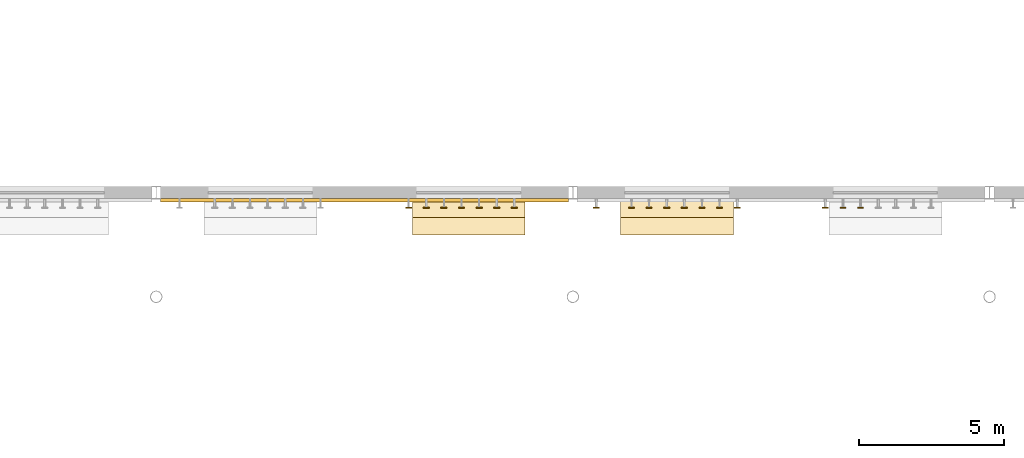
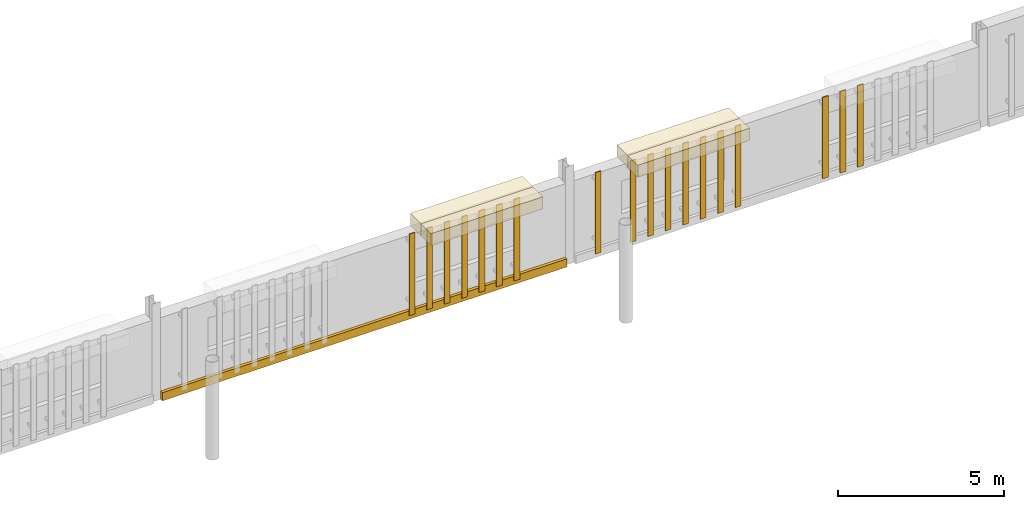
# One storey, part 114 of 124: 18 shading devices, 5 coverings.
"""IFC4 building model written with IfcOpenShell, lengths in metres."""

import ifcopenshell
import ifcopenshell.guid

model = None  # the IFC model being written
_history = None  # IfcOwnerHistory: only IFC2X3 demands one
_inside = {}  # id of a spatial element -> (the spatial element, [elements in it])
_under = {}  # id of a project, library or spatial element -> (it, [spatial elements below it])
_declared = {}  # id of a project -> (the project, [libraries it declares])
_typed = {}  # id of a type object -> (the type object, [elements of that type])
_made_of = {}  # id of a material, layer set ... -> (it, [elements and type objects made of it])


def new_model(schema):
    """Start an empty IFC model of exactly this schema.

    Asked for "IFC4X3", IfcOpenShell would pick the latest addendum, in which some entities
    have other attributes; the version numbers below select the first issue.
    IFC2X3 requires an IfcOwnerHistory on every rooted entity: one is made here for all.
    """
    global model, _history
    if schema == "IFC4X3":
        model = ifcopenshell.file(schema_version=(4, 3, 0, 0))
    else:
        model = ifcopenshell.file(schema=schema)
    _inside.clear()
    _under.clear()
    _declared.clear()
    _typed.clear()
    _made_of.clear()
    _history = None
    if model.schema == "IFC2X3":
        org = make("IfcOrganization", Name="unknown")
        user = make(
            "IfcPersonAndOrganization",
            ThePerson=make("IfcPerson", FamilyName="unknown"),
            TheOrganization=org,
        )
        app = make(
            "IfcApplication",
            ApplicationDeveloper=org,
            Version="unknown",
            ApplicationFullName="unknown",
            ApplicationIdentifier="unknown",
        )
        _history = make(
            "IfcOwnerHistory",
            OwningUser=user,
            OwningApplication=app,
            ChangeAction="ADDED",
            CreationDate=0,
        )
    return model


def make(cls, **values):
    """One entity of the class cls with the attributes given. An attribute that is None is left unset."""
    return model.create_entity(
        cls, **{name: value for name, value in values.items() if value is not None}
    )


def rooted(cls, **values):
    """An entity with a GlobalId (a new one), such as an element, a storey or a relation."""
    return make(cls, GlobalId=ifcopenshell.guid.new(), OwnerHistory=_history, **values)


def si_unit(unit_type, name, prefix=None):
    """IfcSIUnit, for example si_unit("LENGTHUNIT", "METRE", prefix="MILLI")."""
    return make("IfcSIUnit", UnitType=unit_type, Prefix=prefix, Name=name)


def assignment(units):
    """IfcUnitAssignment: the units of a project."""
    return None if units is None else make("IfcUnitAssignment", Units=units)


def point(xyz):
    """IfcCartesianPoint."""
    return None if xyz is None else make("IfcCartesianPoint", Coordinates=xyz)


def direction(xyz):
    """IfcDirection."""
    return None if xyz is None else make("IfcDirection", DirectionRatios=xyz)


def frame(location, z_axis=None, x_axis=None):
    """IfcAxis2Placement3D, a coordinate frame: its origin and axes. An axis left out is left unset."""
    return make(
        "IfcAxis2Placement3D",
        Location=point(location),
        Axis=direction(z_axis),
        RefDirection=direction(x_axis),
    )


def frame_2d(location, x_axis=None):
    """IfcAxis2Placement2D, a coordinate frame in the plane: its origin and x axis."""
    return make(
        "IfcAxis2Placement2D", Location=point(location), RefDirection=direction(x_axis)
    )


def origin():
    """The frame at (0, 0, 0) with its axes left unset."""
    return frame((0.0, 0.0, 0.0))


def origin_2d():
    """The frame at (0, 0) in the plane with its x axis left unset."""
    return frame_2d((0.0, 0.0))


def place(relative_to, where):
    """IfcLocalPlacement: puts the frame where relative to a parent placement (None: the world)."""
    return make(
        "IfcLocalPlacement", PlacementRelTo=relative_to, RelativePlacement=where
    )


def context(
    kind, dimensions, precision=None, world=None, true_north=None, identifier=None
):
    """IfcGeometricRepresentationContext, for example the 3D "Model" context."""
    return make(
        "IfcGeometricRepresentationContext",
        ContextIdentifier=identifier,
        ContextType=kind,
        CoordinateSpaceDimension=dimensions,
        Precision=precision,
        WorldCoordinateSystem=world,
        TrueNorth=true_north,
    )


def subcontext(parent, identifier, kind, view, scale=None):
    """IfcGeometricRepresentationSubContext, for example "Body" below "Model"."""
    return make(
        "IfcGeometricRepresentationSubContext",
        ContextIdentifier=identifier,
        ContextType=kind,
        ParentContext=parent,
        TargetScale=scale,
        TargetView=view,
    )


def project(units=None, contexts=None):
    """IfcProject with its units and contexts."""
    return rooted(
        "IfcProject",
        Name="project",
        RepresentationContexts=contexts,
        UnitsInContext=assignment(units),
    )


def spatial(cls, under=None, at=None, **own):
    """A site, building, storey or space (cls), placed at a placement, below another one or the project."""
    s = rooted(cls, ObjectPlacement=at, **own)
    if under is not None:
        _under.setdefault(under.id(), (under, []))[1].append(s)
    return s


def profile(cls, at=None, kind="AREA", **sizes):
    """A parametric profile (cls). Its sizes go by their IFC names, for example OverallWidth=200.0."""
    return make(cls, ProfileType=kind, Position=at, **sizes)


def rectangle(**sizes):
    """IfcRectangleProfileDef."""
    return profile("IfcRectangleProfileDef", **sizes)


def extrude(swept, where, along, depth):
    """IfcExtrudedAreaSolid: the profile swept, set in the frame where, extruded along a direction by depth."""
    return make(
        "IfcExtrudedAreaSolid",
        SweptArea=swept,
        Position=where,
        ExtrudedDirection=direction(along),
        Depth=depth,
    )


def shape(context_of_items, identifier, shape_type, items):
    """IfcShapeRepresentation: the items that make up one representation, for example the "Body"."""
    return make(
        "IfcShapeRepresentation",
        ContextOfItems=context_of_items,
        RepresentationIdentifier=identifier,
        RepresentationType=shape_type,
        Items=items,
    )


def material(Name=None, Category=None):
    """IfcMaterial."""
    return make("IfcMaterial", Name=Name, Category=Category)


def layer(
    of_material, thickness, ventilated=None, Name=None, Category=None, Priority=None
):
    """IfcMaterialLayer: one layer of a wall or slab, of a material (None: an air gap)."""
    return make(
        "IfcMaterialLayer",
        Material=of_material,
        LayerThickness=thickness,
        IsVentilated=ventilated,
        Name=Name,
        Category=Category,
        Priority=Priority,
    )


def layer_set(layers, Name=None):
    """IfcMaterialLayerSet."""
    return make("IfcMaterialLayerSet", MaterialLayers=layers, LayerSetName=Name)


def made_of(thing, what):
    """Note that an element or type object is made of a material, layer set ...; save() writes the relation."""
    if what is not None:
        _made_of.setdefault(what.id(), (what, []))[1].append(thing)
    return thing


def type_object(cls, material=None, **own):
    """A type object (cls), such as IfcWallType, which elements share."""
    return made_of(rooted(cls, **own), material)


def element(
    cls,
    number,
    at=None,
    inside=None,
    cuts=None,
    type_object=None,
    material=None,
    context=None,
    identifier="Body",
    shape_type=None,
    held_by="IfcProductDefinitionShape",
    body=None,
    shapes=None,
    **own,
):
    """One element of the class cls, such as IfcWall. Its Tag is "e" and its number.

    at: its placement. inside: the storey or other place that contains it. cuts: it is an
    opening in that element (IfcRelVoidsElement). A single representation is given by context,
    identifier, shape_type and body (its items); several are given by shapes. held_by: the class
    of the entity that holds the representations. save() writes the other relations.
    """
    e = rooted(cls, Tag="e%d" % number, ObjectPlacement=at, **own)
    if body is not None:
        shapes = [shape(context, identifier, shape_type, body)]
    if shapes is not None:
        e.Representation = make(held_by, Representations=shapes)
    if inside is not None:
        _inside.setdefault(inside.id(), (inside, []))[1].append(e)
    if cuts is not None:
        rooted(
            "IfcRelVoidsElement", RelatingBuildingElement=cuts, RelatedOpeningElement=e
        )
    if type_object is not None:
        _typed.setdefault(type_object.id(), (type_object, []))[1].append(e)
    return made_of(e, material)


def aggregate(whole, parts):
    """IfcRelAggregates: a whole, such as a stair, and the parts it consists of."""
    return rooted("IfcRelAggregates", RelatingObject=whole, RelatedObjects=parts)


def save(model, path):
    """Write the relations noted so far, then the file.

    IfcRelAggregates (storeys below a building ...), IfcRelContainedInSpatialStructure (elements
    in a storey), IfcRelDefinesByType, IfcRelAssociatesMaterial and IfcRelDeclares: one each for
    every whole, place, type object, material and project.
    """
    for whole, parts in _under.values():
        aggregate(whole, parts)
    for where, things in _inside.values():
        rooted(
            "IfcRelContainedInSpatialStructure",
            RelatedElements=things,
            RelatingStructure=where,
        )
    for kind, things in _typed.values():
        rooted("IfcRelDefinesByType", RelatedObjects=things, RelatingType=kind)
    for what, things in _made_of.values():
        rooted("IfcRelAssociatesMaterial", RelatedObjects=things, RelatingMaterial=what)
    for by, libraries in _declared.values():
        rooted("IfcRelDeclares", RelatingContext=by, RelatedDefinitions=libraries)
    model.write(path)


model = new_model("IFC4")

# Units and contexts
model_context = context("Model", 3, precision=1e-05, world=origin(), true_north=direction((0.0, 1.0)))
body_context = subcontext(model_context, "Body", "Model", "MODEL_VIEW")
ifc_project = project(units=[si_unit("LENGTHUNIT", "METRE"), si_unit("AREAUNIT", "SQUARE_METRE"), si_unit("VOLUMEUNIT", "CUBIC_METRE"), si_unit("PLANEANGLEUNIT", "RADIAN"), si_unit("MASSUNIT", "GRAM", prefix="KILO")], contexts=[model_context])

# Site, building, storey
site_placement = place(None, origin())
site = spatial("IfcSite", under=ifc_project, at=site_placement, CompositionType="ELEMENT")
building_placement = place(site_placement, origin())
building = spatial("IfcBuilding", under=site, at=building_placement, Name="Kupolbacken Congress Centre", CompositionType="ELEMENT")
storey_placement = place(building_placement, frame((0.0, 0.0, 10.800048828125)))
storey = spatial("IfcBuildingStorey", under=building, at=storey_placement, Name="L03", CompositionType="ELEMENT", Elevation=10.800048828125)

# Coverings
ifc_material_1 = material(Name="Brick cladding", Category="masonry")
ifc_layer_1 = layer(ifc_material_1, 0.10791015625)
ifc_layer_set_1 = layer_set([ifc_layer_1], Name="Brick cladding")
covering_type_1 = type_object("IfcCoveringType", Name="CV2 brick cladding band 108", PredefinedType="CLADDING", material=ifc_layer_set_1)
covering_1_placement = place(storey_placement, frame((172.800048828125, 42.93603515625, 0.0), z_axis=(0.0, 0.0, 1.0), x_axis=(1.0, 0.0, 0.0)))
element("IfcCovering", 1, at=covering_1_placement, inside=storey, type_object=covering_type_1, Name="E/H/S/L03/368/band", PredefinedType="CLADDING", context=body_context, shape_type="SweptSolid", body=[
    extrude(rectangle(XDim=14.10009765625, YDim=0.10791015625, at=origin_2d()), origin(), (0.0, 0.0, 1.0), 0.300048828125),
])
ifc_material_2 = material(Name="Limestone cladding", Category="masonry")
ifc_layer_2 = layer(ifc_material_2, 0.60009765625)
ifc_layer_set_2 = layer_set([ifc_layer_2], Name="Limestone cladding")
covering_type_2 = type_object("IfcCoveringType", Name="CV5 limestone arcade pier 600", PredefinedType="CLADDING", material=ifc_layer_set_2)
covering_2_placement = place(storey_placement, frame((176.39990234375, 42.6650390625, 3.35009765625), z_axis=(0.0, 0.0, 1.0), x_axis=(1.0, 0.0, 0.0)))
element("IfcCovering", 2, at=covering_2_placement, inside=storey, type_object=covering_type_2, Name="F/HR/H/S/fin/12/1/a", PredefinedType="CLADDING", context=body_context, shape_type="SweptSolid", body=[
    extrude(rectangle(XDim=3.89990234375, YDim=0.64990234375, at=origin_2d()), origin(), (0.0, 0.0, 1.0), 0.449951171875),
])
covering_3_placement = place(storey_placement, frame((176.39990234375, 42.0400390625, 3.35009765625), z_axis=(0.0, 0.0, 1.0), x_axis=(1.0, 0.0, 0.0)))
element("IfcCovering", 3, at=covering_3_placement, inside=storey, type_object=covering_type_2, Name="F/HR/H/S/fin/12/1/b", PredefinedType="CLADDING", context=body_context, shape_type="SweptSolid", body=[
    extrude(rectangle(XDim=3.89990234375, YDim=0.60009765625, at=origin_2d()), origin(), (0.0, 0.0, 1.0), 0.449951171875),
])
covering_4_placement = place(storey_placement, frame((183.60009765625, 42.6650390625, 3.35009765625), z_axis=(0.0, 0.0, 1.0), x_axis=(1.0, 0.0, 0.0)))
element("IfcCovering", 4, at=covering_4_placement, inside=storey, type_object=covering_type_2, Name="F/HR/H/S/fin/13/1/a", PredefinedType="CLADDING", context=body_context, shape_type="SweptSolid", body=[
    extrude(rectangle(XDim=3.89990234375, YDim=0.64990234375, at=origin_2d()), origin(), (0.0, 0.0, 1.0), 0.449951171875),
])
covering_5_placement = place(storey_placement, frame((183.60009765625, 42.0400390625, 3.35009765625), z_axis=(0.0, 0.0, 1.0), x_axis=(1.0, 0.0, 0.0)))
element("IfcCovering", 5, at=covering_5_placement, inside=storey, type_object=covering_type_2, Name="F/HR/H/S/fin/13/1/b", PredefinedType="CLADDING", context=body_context, shape_type="SweptSolid", body=[
    extrude(rectangle(XDim=3.89990234375, YDim=0.60009765625, at=origin_2d()), origin(), (0.0, 0.0, 1.0), 0.449951171875),
])

# Shading devices
ifc_material_3 = material(Name="Aluminium alloy louvre", Category="aluminium")
ifc_layer_3 = layer(ifc_material_3, 0.030029296875)
ifc_layer_set_3 = layer_set([ifc_layer_3], Name="Aluminium alloy louvre")
shading_device_type = type_object("IfcShadingDeviceType", Name="SC1 louvre blade 30 x 200", PredefinedType="JALOUSIE", material=ifc_layer_set_3)
for number, where, z_axis, x_axis, name in (
    (6, (174.32275390625, 42.675048828125, 0.300048828125), (0.0, 0.0, 1.0), (1.0, 0.0, 0.0), "E/brise/S/L03/368/B14"),
    (7, (174.931884765625, 42.675048828125, 0.300048828125), (0.0, 0.0, 1.0), (1.0, 0.0, 0.0), "E/brise/S/L03/368/B15"),
    (8, (175.541015625, 42.675048828125, 0.300048828125), (0.0, 0.0, 1.0), (1.0, 0.0, 0.0), "E/brise/S/L03/368/B16"),
    (9, (176.14990234375, 42.675048828125, 0.300048828125), (0.0, 0.0, 1.0), (1.0, 0.0, 0.0), "E/brise/S/L03/368/B17"),
    (10, (176.759033203125, 42.675048828125, 0.300048828125), (0.0, 0.0, 1.0), (1.0, 0.0, 0.0), "E/brise/S/L03/368/B18"),
    (11, (177.3681640625, 42.675048828125, 0.300048828125), (0.0, 0.0, 1.0), (1.0, 0.0, 0.0), "E/brise/S/L03/368/B19"),
    (12, (177.977294921875, 42.675048828125, 0.300048828125), (0.0, 0.0, 1.0), (1.0, 0.0, 0.0), "E/brise/S/L03/368/B20"),
    (13, (180.804443359375, 42.675048828125, 0.300048828125), (0.0, 0.0, 1.0), (1.0, 0.0, 0.0), "E/brise/S/L03/369/B01"),
    (14, (182.022705078125, 42.675048828125, 0.300048828125), (0.0, 0.0, 1.0), (1.0, 0.0, 0.0), "E/brise/S/L03/369/B03"),
    (15, (182.6318359375, 42.675048828125, 0.300048828125), (0.0, 0.0, 1.0), (1.0, 0.0, 0.0), "E/brise/S/L03/369/B04"),
    (16, (183.240966796875, 42.675048828125, 0.300048828125), (0.0, 0.0, 1.0), (1.0, 0.0, 0.0), "E/brise/S/L03/369/B05"),
    (17, (183.85009765625, 42.675048828125, 0.300048828125), (0.0, 0.0, 1.0), (1.0, 0.0, 0.0), "E/brise/S/L03/369/B06"),
    (18, (184.458984375, 42.675048828125, 0.300048828125), (0.0, 0.0, 1.0), (1.0, 0.0, 0.0), "E/brise/S/L03/369/B07"),
    (19, (185.068115234375, 42.675048828125, 0.300048828125), (0.0, 0.0, 1.0), (1.0, 0.0, 0.0), "E/brise/S/L03/369/B08"),
    (20, (185.67724609375, 42.675048828125, 0.300048828125), (0.0, 0.0, 1.0), (1.0, 0.0, 0.0), "E/brise/S/L03/369/B09"),
    (21, (188.72265625, 42.675048828125, 0.300048828125), (0.0, 0.0, 1.0), (1.0, 0.0, 0.0), "E/brise/S/L03/369/B14"),
    (22, (189.331787109375, 42.675048828125, 0.300048828125), (0.0, 0.0, 1.0), (1.0, 0.0, 0.0), "E/brise/S/L03/369/B15"),
    (23, (189.94091796875, 42.675048828125, 0.300048828125), (0.0, 0.0, 1.0), (1.0, 0.0, 0.0), "E/brise/S/L03/369/B16"),
):
    element("IfcShadingDevice", number, at=place(storey_placement, frame(where, z_axis=z_axis, x_axis=x_axis)), inside=storey, type_object=shading_device_type, Name=name, PredefinedType="JALOUSIE", context=body_context, shape_type="SweptSolid", body=[
        extrude(rectangle(XDim=0.199951171875, YDim=0.030029296875, at=origin_2d()), origin(), (0.0, 0.0, 1.0), 3.0),
    ])

save(model, "model.ifc")
